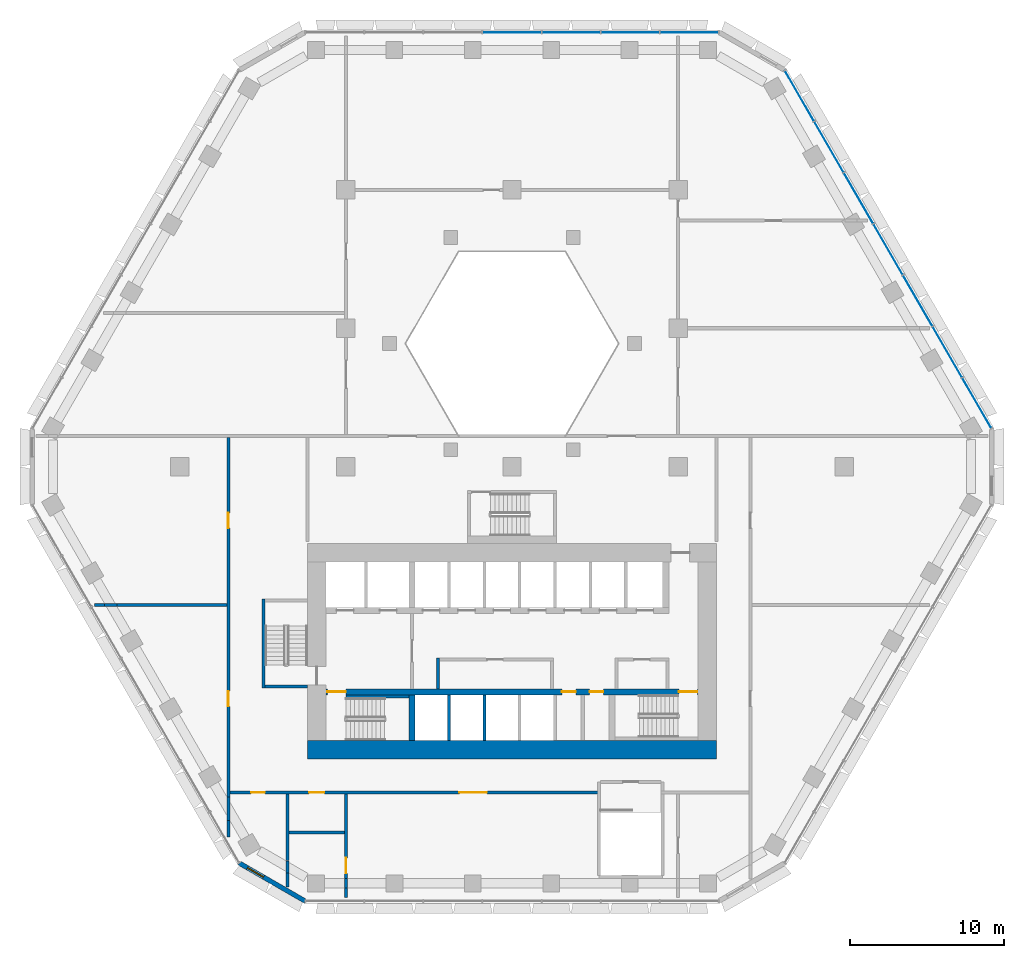
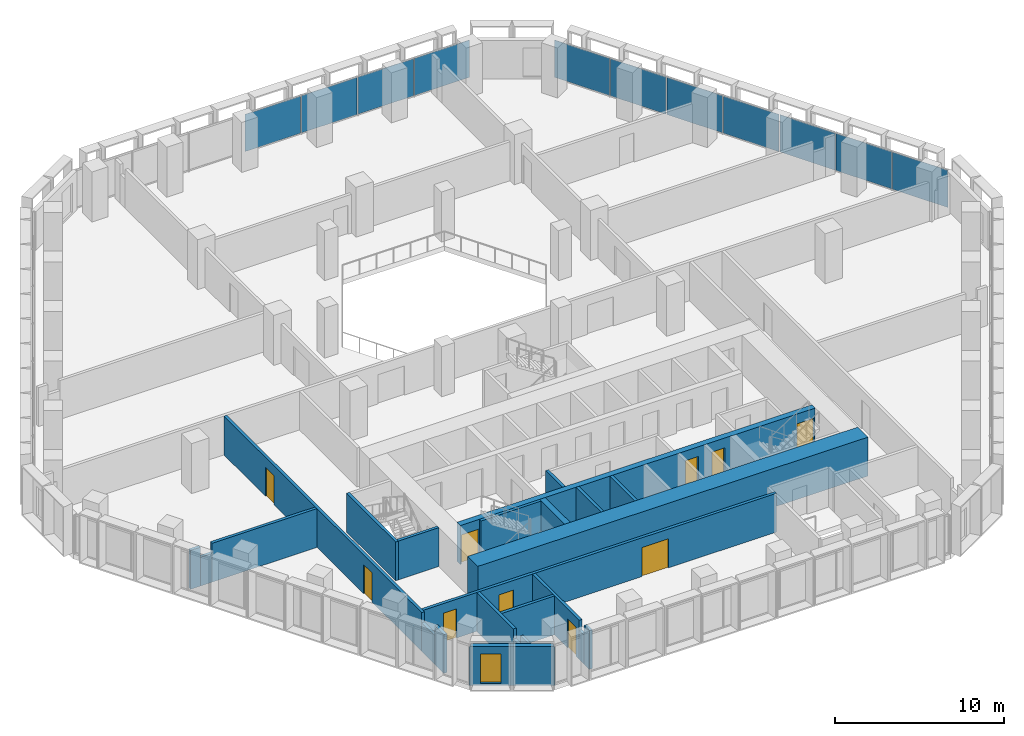
# One storey, part 11 of 21: 24 walls, 11 plates, 10 doors, 1 window, 11 openings, 2 elements without a shape of their own.
"""IFC4 building model written with IfcOpenShell, lengths in metres."""

from ifc_helpers import new_model, si_unit, direction, frame, frame_2d, origin, origin_2d, place, context, subcontext, project, spatial, polyline, rectangle, outline, extrude, material, layer, layer_set, type_object, element, fill, aggregate, save


model = new_model("IFC4")

# Units and contexts
model_context = context("Model", 3, precision=1e-05, world=origin(), true_north=direction((0.0, 1.0)))
body_context = subcontext(model_context, "Body", "Model", "MODEL_VIEW")
ifc_project = project(units=[si_unit("LENGTHUNIT", "METRE"), si_unit("AREAUNIT", "SQUARE_METRE"), si_unit("VOLUMEUNIT", "CUBIC_METRE"), si_unit("PLANEANGLEUNIT", "RADIAN"), si_unit("MASSUNIT", "GRAM", prefix="KILO")], contexts=[model_context])

# Site, building, storey
site_placement = place(None, origin())
site = spatial("IfcSite", under=ifc_project, at=site_placement, CompositionType="ELEMENT")
building_placement = place(site_placement, origin())
building = spatial("IfcBuilding", under=site, at=building_placement, Name="Beryl Residences", CompositionType="ELEMENT")
storey_placement = place(building_placement, frame((0.0, 0.0, 19.800048828125)))
storey = spatial("IfcBuildingStorey", under=building, at=storey_placement, Name="L05", CompositionType="ELEMENT", Elevation=19.800048828125)

# Curtain wall, plates
ifc_material_1 = material(Name="Aluminium and clear glass", Category="aluminium")
curtain_wall_type = type_object("IfcCurtainWallType", Name="CW2 amenity glazing glazed wall", PredefinedType="NOTDEFINED", material=ifc_material_1)
curtain_wall_1_placement = place(storey_placement, origin())
curtain_wall_1 = element("IfcCurtainWall", 1, at=curtain_wall_1_placement, inside=storey, type_object=curtain_wall_type, Name="CW2 L05 N", PredefinedType="NOTDEFINED")
ifc_material_2 = material(Name="Clear laminated glass", Category="glass")
ifc_layer_1 = layer(ifc_material_2, 0.028076171875)
ifc_layer_set_1 = layer_set([ifc_layer_1], Name="CW2-P glazing panel 28 mm")
plate_type = type_object("IfcPlateType", Name="CW2-P glazing panel 28 mm", PredefinedType="CURTAIN_PANEL", material=ifc_layer_set_1)
plate_1_placement = place(storey_placement, frame((11.53076171875, 28.25, 0.06005859375), z_axis=(0.0, 0.0, 1.0), x_axis=(-1.0, 0.0, 0.0)))
plate_1 = element("IfcPlate", 2, at=plate_1_placement, type_object=plate_type, Name="CW2 panel 1.1", PredefinedType="CURTAIN_PANEL", context=body_context, shape_type="SweptSolid", body=[
    extrude(rectangle(XDim=3.758544921875, YDim=0.028076171875, at=origin_2d()), origin(), (0.0, 0.0, 1.0), 2.679931640625),
])
plate_2_placement = place(storey_placement, frame((7.697021484375, 28.25, 0.06005859375), z_axis=(0.0, 0.0, 1.0), x_axis=(-1.0, 0.0, 0.0)))
plate_2 = element("IfcPlate", 3, at=plate_2_placement, type_object=plate_type, Name="CW2 panel 2.1", PredefinedType="CURTAIN_PANEL", context=body_context, shape_type="SweptSolid", body=[
    extrude(rectangle(XDim=3.78857421875, YDim=0.028076171875, at=origin_2d()), origin(), (0.0, 0.0, 1.0), 2.679931640625),
])
plate_3_placement = place(storey_placement, frame((3.8486328125, 28.25, 0.06005859375), z_axis=(0.0, 0.0, 1.0), x_axis=(-1.0, 0.0, 0.0)))
plate_3 = element("IfcPlate", 4, at=plate_3_placement, type_object=plate_type, Name="CW2 panel 3.1", PredefinedType="CURTAIN_PANEL", context=body_context, shape_type="SweptSolid", body=[
    extrude(rectangle(XDim=3.78857421875, YDim=0.028076171875, at=origin_2d()), origin(), (0.0, 0.0, 1.0), 2.679931640625),
])
plate_4_placement = place(storey_placement, frame((0.0, 28.25, 0.06005859375), z_axis=(0.0, 0.0, 1.0), x_axis=(-1.0, 0.0, 0.0)))
plate_4 = element("IfcPlate", 5, at=plate_4_placement, type_object=plate_type, Name="CW2 panel 4.1", PredefinedType="CURTAIN_PANEL", context=body_context, shape_type="SweptSolid", body=[
    extrude(rectangle(XDim=3.78857421875, YDim=0.028076171875, at=origin_2d()), origin(), (0.0, 0.0, 1.0), 2.679931640625),
])
aggregate(curtain_wall_1, [plate_1, plate_2, plate_3, plate_4])

curtain_wall_2_placement = place(storey_placement, origin())
curtain_wall_2 = element("IfcCurtainWall", 6, at=curtain_wall_2_placement, inside=storey, type_object=curtain_wall_type, Name="CW2 L05 NE", PredefinedType="NOTDEFINED")
plate_5_placement = place(storey_placement, frame((30.23046875, 4.139404296875, 0.06005859375), z_axis=(0.0, 0.0, 1.0), x_axis=(-0.500011643322, 0.866018681405, 0.0)))
plate_5 = element("IfcPlate", 7, at=plate_5_placement, type_object=plate_type, Name="CW2 panel 1.1", PredefinedType="CURTAIN_PANEL", context=body_context, shape_type="SweptSolid", body=[
    extrude(rectangle(XDim=3.758544921875, YDim=0.028076171875, at=origin_2d()), origin(), (0.0, 0.0, 1.0), 2.679931640625),
])
plate_6_placement = place(storey_placement, frame((28.3134765625, 7.459228515625, 0.06005859375), z_axis=(0.0, 0.0, 1.0), x_axis=(-0.500011643322, 0.866018681405, 0.0)))
plate_6 = element("IfcPlate", 8, at=plate_6_placement, type_object=plate_type, Name="CW2 panel 2.1", PredefinedType="CURTAIN_PANEL", context=body_context, shape_type="SweptSolid", body=[
    extrude(rectangle(XDim=3.78857421875, YDim=0.028076171875, at=origin_2d()), origin(), (0.0, 0.0, 1.0), 2.679931640625),
])
plate_7_placement = place(storey_placement, frame((26.389404296875, 10.792236328125, 0.06005859375), z_axis=(0.0, 0.0, 1.0), x_axis=(-0.500011643322, 0.866018681405, 0.0)))
plate_7 = element("IfcPlate", 9, at=plate_7_placement, type_object=plate_type, Name="CW2 panel 3.1", PredefinedType="CURTAIN_PANEL", context=body_context, shape_type="SweptSolid", body=[
    extrude(rectangle(XDim=3.78857421875, YDim=0.028076171875, at=origin_2d()), origin(), (0.0, 0.0, 1.0), 2.679931640625),
])
plate_8_placement = place(storey_placement, frame((24.465087890625, 14.125, 0.06005859375), z_axis=(0.0, 0.0, 1.0), x_axis=(-0.500011643322, 0.866018681405, 0.0)))
plate_8 = element("IfcPlate", 10, at=plate_8_placement, type_object=plate_type, Name="CW2 panel 4.1", PredefinedType="CURTAIN_PANEL", context=body_context, shape_type="SweptSolid", body=[
    extrude(rectangle(XDim=3.78857421875, YDim=0.028076171875, at=origin_2d()), origin(), (0.0, 0.0, 1.0), 2.679931640625),
])
plate_9_placement = place(storey_placement, frame((22.540771484375, 17.457763671875, 0.06005859375), z_axis=(0.0, 0.0, 1.0), x_axis=(-0.500011643322, 0.866018681405, 0.0)))
plate_9 = element("IfcPlate", 11, at=plate_9_placement, type_object=plate_type, Name="CW2 panel 5.1", PredefinedType="CURTAIN_PANEL", context=body_context, shape_type="SweptSolid", body=[
    extrude(rectangle(XDim=3.78857421875, YDim=0.028076171875, at=origin_2d()), origin(), (0.0, 0.0, 1.0), 2.679931640625),
])
plate_10_placement = place(storey_placement, frame((20.616455078125, 20.790771484375, 0.06005859375), z_axis=(0.0, 0.0, 1.0), x_axis=(-0.500011643322, 0.866018681405, 0.0)))
plate_10 = element("IfcPlate", 12, at=plate_10_placement, type_object=plate_type, Name="CW2 panel 6.1", PredefinedType="CURTAIN_PANEL", context=body_context, shape_type="SweptSolid", body=[
    extrude(rectangle(XDim=3.78857421875, YDim=0.028076171875, at=origin_2d()), origin(), (0.0, 0.0, 1.0), 2.679931640625),
])
plate_11_placement = place(storey_placement, frame((18.69970703125, 24.110595703125, 0.06005859375), z_axis=(0.0, 0.0, 1.0), x_axis=(-0.500011643322, 0.866018681405, 0.0)))
plate_11 = element("IfcPlate", 13, at=plate_11_placement, type_object=plate_type, Name="CW2 panel 7.1", PredefinedType="CURTAIN_PANEL", context=body_context, shape_type="SweptSolid", body=[
    extrude(rectangle(XDim=3.758544921875, YDim=0.028076171875, at=origin_2d()), origin(), (0.0, 0.0, 1.0), 2.679931640625),
])
aggregate(curtain_wall_2, [plate_5, plate_6, plate_7, plate_8, plate_9, plate_10, plate_11])

# Wall, opening, window
ifc_material_3 = material(Name="Composite metal panel with mineral wool insulation")
ifc_layer_2 = layer(ifc_material_3, 0.300048828125)
ifc_layer_set_2 = layer_set([ifc_layer_2], Name="ES1 pale metal composite panel wall 300 mm")
wall_type_1 = type_object("IfcWallType", Name="ES1 pale metal composite panel wall 300 mm", PredefinedType="SOLIDWALL", material=ifc_layer_set_2)
wall_1_placement = place(storey_placement, frame((-17.764892578125, -25.77001953125, 0.0), z_axis=(0.0, 0.0, 1.0), x_axis=(0.866010750942, -0.50002537861, 0.0)))
wall_1 = element("IfcWall", 14, at=wall_1_placement, inside=storey, type_object=wall_type_1, Name="ES1 external wall L05 SW-S", PredefinedType="SOLIDWALL", context=body_context, shape_type="SweptSolid", body=[
    extrude(outline(polyline([(0.0, -0.14990234375), (4.999755859375, -0.14990234375), (4.91943359375, 0.14990234375), (0.080322265625, 0.14990234375), (0.0, -0.14990234375)])), origin(), (0.0, 0.0, 1.0), 2.800048828125),
])
opening_1_placement = place(wall_1_placement, frame((0.64990234375, 0.0, 0.14990234375)))
opening_1 = element("IfcOpeningElement", 15, at=opening_1_placement, cuts=wall_1, Name="Opening W2", PredefinedType="OPENING", context=body_context, shape_type="SweptSolid", body=[
    extrude(rectangle(XDim=1.199951171875, YDim=2.10009765625, at=frame_2d((0.60009765625, 1.050048828125))), frame((0.0, 0.159912109375, 0.0), z_axis=(0.0, -1.0, 0.0), x_axis=(1.0, 0.0, 0.0)), (0.0, 0.0, 1.0), 0.320068359375),
])
ifc_material_4 = material(Name="Aluminium and clear glass", Category="aluminium")
window_type = type_object("IfcWindowType", Name="W2 chamfer window 1200 x 2100 mm", PartitioningType="SINGLE_PANEL", PredefinedType="WINDOW", material=ifc_material_4)
window_placement = place(opening_1_placement, origin())
window = element("IfcWindow", 16, at=window_placement, inside=storey, type_object=window_type, Name="W2 window L05 SW-S 1", OverallHeight=2.10009765625, OverallWidth=1.199951171875, PartitioningType="SINGLE_PANEL", PredefinedType="WINDOW", context=body_context, shape_type="SweptSolid", body=[
    extrude(rectangle(XDim=1.199951171875, YDim=2.10009765625, at=frame_2d((0.60009765625, 1.050048828125))), frame((0.0, 0.030029296875, 0.0), z_axis=(0.0, -1.0, 0.0), x_axis=(1.0, 0.0, 0.0)), (0.0, 0.0, 1.0), 0.06005859375),
])
fill(opening_1, window)

# Wall
ifc_material_5 = material(Name="Concrete masonry", Category="masonry")
ifc_layer_3 = layer(ifc_material_5, 0.199951171875)
ifc_layer_set_3 = layer_set([ifc_layer_3], Name="PT13 lobby wall 200 mm")
wall_type_2 = type_object("IfcWallType", Name="PT13 lobby wall 200 mm", PredefinedType="PARTITIONING", material=ifc_layer_set_3)
wall_2_placement = place(storey_placement, frame((-4.800048828125, -14.449951171875, 0.0), z_axis=(0.0, 0.0, 1.0), x_axis=(0.0, 1.0, 0.0)))
element("IfcWall", 17, at=wall_2_placement, inside=storey, type_object=wall_type_2, Name="Lobby wall 07", PredefinedType="PARTITIONING", context=body_context, shape_type="SweptSolid", body=[
    extrude(rectangle(XDim=2.0, YDim=0.199951171875, at=frame_2d((1.0, 0.0))), origin(), (0.0, 0.0, 1.0), 2.800048828125),
])

# Wall, openings, doors
ifc_material_6 = material(Name="Double stud gypsum board wall")
ifc_layer_4 = layer(ifc_material_6, 0.199951171875)
ifc_layer_set_4 = layer_set([ifc_layer_4], Name="PT4 corridor wall 200 mm double stud")
wall_type_3 = type_object("IfcWallType", Name="PT4 corridor wall 200 mm double stud", PredefinedType="PARTITIONING", material=ifc_layer_set_4)
wall_3_placement = place(storey_placement, frame((-18.35009765625, -21.199951171875, 0.0), z_axis=(0.0, 0.0, 1.0), x_axis=(1.0, 0.0, 0.0)))
wall_3 = element("IfcWall", 18, at=wall_3_placement, inside=storey, type_object=wall_type_3, Name="Wall PT4 L05 001", PredefinedType="PARTITIONING", context=body_context, shape_type="SweptSolid", body=[
    extrude(rectangle(XDim=24.10009765625, YDim=0.199951171875, at=frame_2d((12.050048828125, 0.0))), origin(), (0.0, 0.0, 1.0), 2.800048828125),
])
opening_2_placement = place(wall_3_placement, frame((2.27685546875, 0.0, 0.0), z_axis=(0.0, 0.0, 1.0), x_axis=(-1.0, 0.0, 0.0)))
opening_2 = element("IfcOpeningElement", 19, at=opening_2_placement, cuts=wall_3, Name="Opening L05-01", PredefinedType="OPENING", context=body_context, shape_type="SweptSolid", body=[
    extrude(rectangle(XDim=0.89990234375, YDim=2.10009765625, at=frame_2d((0.449951171875, 1.050048828125))), frame((0.0, 0.10986328125, 0.0), z_axis=(0.0, -1.0, 0.0), x_axis=(1.0, 0.0, 0.0)), (0.0, 0.0, 1.0), 0.219970703125),
])
opening_3_placement = place(wall_3_placement, frame((6.14990234375, 0.0, 0.0), z_axis=(0.0, 0.0, 1.0), x_axis=(-1.0, 0.0, 0.0)))
opening_3 = element("IfcOpeningElement", 20, at=opening_3_placement, cuts=wall_3, Name="Opening L05-02", PredefinedType="OPENING", context=body_context, shape_type="SweptSolid", body=[
    extrude(rectangle(XDim=1.0, YDim=2.10009765625, at=frame_2d((0.5, 1.050048828125))), frame((0.0, 0.10986328125, 0.0), z_axis=(0.0, -1.0, 0.0), x_axis=(1.0, 0.0, 0.0)), (0.0, 0.0, 1.0), 0.219970703125),
])
opening_4_placement = place(wall_3_placement, frame((14.923095703125, 0.0, 0.0)))
opening_4 = element("IfcOpeningElement", 21, at=opening_4_placement, cuts=wall_3, Name="Opening L05-17", PredefinedType="OPENING", context=body_context, shape_type="SweptSolid", body=[
    extrude(rectangle(XDim=1.800048828125, YDim=2.10009765625, at=frame_2d((0.89990234375, 1.050048828125))), frame((0.0, 0.10986328125, 0.0), z_axis=(0.0, -1.0, 0.0), x_axis=(1.0, 0.0, 0.0)), (0.0, 0.0, 1.0), 0.219970703125),
])
ifc_material_7 = material(Name="Timber door leaf", Category="wood")
door_type_1 = type_object("IfcDoorType", Name="D19 room door 1000 x 2100 mm", OperationType="SINGLE_SWING_LEFT", PredefinedType="DOOR", material=ifc_material_7)
door_1_placement = place(opening_3_placement, origin())
door_1 = element("IfcDoor", 22, at=door_1_placement, inside=storey, type_object=door_type_1, Name="Door L05-02 L05 001", OperationType="SINGLE_SWING_LEFT", OverallHeight=2.10009765625, OverallWidth=1.0, PredefinedType="DOOR", context=body_context, shape_type="SweptSolid", body=[
    extrude(rectangle(XDim=1.0, YDim=2.10009765625, at=frame_2d((0.5, 1.050048828125))), frame((0.0, 0.02490234375, 0.0), z_axis=(0.0, -1.0, 0.0), x_axis=(1.0, 0.0, 0.0)), (0.0, 0.0, 1.0), 0.050048828125),
])
fill(opening_3, door_1)
ifc_material_8 = material(Name="Timber door leaf", Category="wood")
door_type_2 = type_object("IfcDoorType", Name="D2 room door 900 x 2100 mm", OperationType="SINGLE_SWING_LEFT", PredefinedType="DOOR", material=ifc_material_8)
door_2_placement = place(opening_2_placement, origin())
door_2 = element("IfcDoor", 23, at=door_2_placement, inside=storey, type_object=door_type_2, Name="Door L05-01 L05 001", OperationType="SINGLE_SWING_RIGHT", OverallHeight=2.10009765625, OverallWidth=0.89990234375, PredefinedType="DOOR", context=body_context, shape_type="SweptSolid", body=[
    extrude(rectangle(XDim=0.89990234375, YDim=2.10009765625, at=frame_2d((0.449951171875, 1.050048828125))), frame((0.0, 0.02490234375, 0.0), z_axis=(0.0, -1.0, 0.0), x_axis=(1.0, 0.0, 0.0)), (0.0, 0.0, 1.0), 0.050048828125),
])
fill(opening_2, door_2)
ifc_material_9 = material(Name="Timber door leaf", Category="wood")
door_type_3 = type_object("IfcDoorType", Name="D20 corridor door 1800 x 2100 mm", OperationType="DOUBLE_DOOR_SINGLE_SWING", PredefinedType="DOOR", material=ifc_material_9)
door_3_placement = place(opening_4_placement, origin())
door_3 = element("IfcDoor", 24, at=door_3_placement, inside=storey, type_object=door_type_3, Name="Door L05-17 L05 001", OperationType="DOUBLE_DOOR_SINGLE_SWING", OverallHeight=2.10009765625, OverallWidth=1.800048828125, PredefinedType="DOOR", context=body_context, shape_type="SweptSolid", body=[
    extrude(rectangle(XDim=1.800048828125, YDim=2.10009765625, at=frame_2d((0.89990234375, 1.050048828125))), frame((0.0, 0.02490234375, 0.0), z_axis=(0.0, -1.0, 0.0), x_axis=(1.0, 0.0, 0.0)), (0.0, 0.0, 1.0), 0.050048828125),
])
fill(opening_4, door_3)

# Walls
wall_4_placement = place(storey_placement, frame((-27.157958984375, -9.0, 0.0), z_axis=(0.0, 0.0, 1.0), x_axis=(1.0, 0.0, 0.0)))
element("IfcWall", 25, at=wall_4_placement, inside=storey, type_object=wall_type_3, Name="Wall PT4 L05 002", PredefinedType="PARTITIONING", context=body_context, shape_type="SweptSolid", body=[
    extrude(rectangle(XDim=0.656982421875, YDim=0.199951171875, at=frame_2d((0.32861328125, 0.0))), origin(), (0.0, 0.0, 1.0), 2.800048828125),
])
wall_5_placement = place(storey_placement, frame((-26.5009765625, -9.0, 0.0), z_axis=(0.0, 0.0, 1.0), x_axis=(1.0, 0.0, 0.0)))
element("IfcWall", 26, at=wall_5_placement, inside=storey, type_object=wall_type_3, Name="Wall PT4 L05 003", PredefinedType="PARTITIONING", context=body_context, shape_type="SweptSolid", body=[
    extrude(rectangle(XDim=0.80908203125, YDim=0.199951171875, at=frame_2d((0.404541015625, 0.0))), origin(), (0.0, 0.0, 1.0), 2.070068359375),
])
wall_6_placement = place(storey_placement, frame((-25.69189453125, -9.0, 0.0), z_axis=(0.0, 0.0, 1.0), x_axis=(1.0, 0.0, 0.0)))
element("IfcWall", 27, at=wall_6_placement, inside=storey, type_object=wall_type_3, Name="Wall PT4 L05 004", PredefinedType="PARTITIONING", context=body_context, shape_type="SweptSolid", body=[
    extrude(rectangle(XDim=7.141845703125, YDim=0.199951171875, at=frame_2d((3.57080078125, 0.0))), origin(), (0.0, 0.0, 1.0), 2.800048828125),
])
wall_7_placement = place(storey_placement, frame((-18.449951171875, -24.08203125, 0.0), z_axis=(0.0, 0.0, 1.0), x_axis=(0.0, 1.0, 0.0)))
element("IfcWall", 28, at=wall_7_placement, inside=storey, type_object=wall_type_3, Name="Wall PT4 L05 023", PredefinedType="PARTITIONING", context=body_context, shape_type="SweptSolid", body=[
    extrude(rectangle(XDim=1.06494140625, YDim=0.199951171875, at=frame_2d((0.532470703125, 0.0))), origin(), (0.0, 0.0, 1.0), 2.800048828125),
])
wall_8_placement = place(storey_placement, frame((-18.449951171875, -23.01708984375, 0.0), z_axis=(0.0, 0.0, 1.0), x_axis=(0.0, 1.0, 0.0)))
element("IfcWall", 29, at=wall_8_placement, inside=storey, type_object=wall_type_3, Name="Wall PT4 L05 024", PredefinedType="PARTITIONING", context=body_context, shape_type="SweptSolid", body=[
    extrude(rectangle(XDim=1.546142578125, YDim=0.199951171875, at=frame_2d((0.77294921875, 0.0))), origin(), (0.0, 0.0, 1.0), 2.070068359375),
])

# Wall, openings, doors
wall_9_placement = place(storey_placement, frame((-18.449951171875, -21.470947265625, 0.0), z_axis=(0.0, 0.0, 1.0), x_axis=(0.0, 1.0, 0.0)))
wall_9 = element("IfcWall", 30, at=wall_9_placement, inside=storey, type_object=wall_type_3, Name="Wall PT4 L05 025", PredefinedType="PARTITIONING", context=body_context, shape_type="SweptSolid", body=[
    extrude(rectangle(XDim=23.370849609375, YDim=0.199951171875, at=frame_2d((11.685546875, 0.0))), origin(), (0.0, 0.0, 1.0), 2.800048828125),
])
opening_5_placement = place(wall_9_placement, frame((5.873046875, 0.0, 0.0)))
opening_5 = element("IfcOpeningElement", 31, at=opening_5_placement, cuts=wall_9, Name="Opening L05-05", PredefinedType="OPENING", context=body_context, shape_type="SweptSolid", body=[
    extrude(rectangle(XDim=1.0, YDim=2.10009765625, at=frame_2d((0.5, 1.050048828125))), frame((0.0, 0.10986328125, 0.0), z_axis=(0.0, -1.0, 0.0), x_axis=(1.0, 0.0, 0.0)), (0.0, 0.0, 1.0), 0.219970703125),
])
opening_6_placement = place(wall_9_placement, frame((17.468994140625, 0.0, 0.0)))
opening_6 = element("IfcOpeningElement", 32, at=opening_6_placement, cuts=wall_9, Name="Opening L05-06", PredefinedType="OPENING", context=body_context, shape_type="SweptSolid", body=[
    extrude(rectangle(XDim=1.0, YDim=2.10009765625, at=frame_2d((0.5, 1.050048828125))), frame((0.0, 0.10986328125, 0.0), z_axis=(0.0, -1.0, 0.0), x_axis=(1.0, 0.0, 0.0)), (0.0, 0.0, 1.0), 0.219970703125),
])
ifc_material_10 = material(Name="Timber door leaf", Category="wood")
door_type_4 = type_object("IfcDoorType", Name="D9 corridor door 1000 x 2100 mm", OperationType="SINGLE_SWING_LEFT", PredefinedType="DOOR", material=ifc_material_10)
door_4_placement = place(opening_5_placement, origin())
door_4 = element("IfcDoor", 33, at=door_4_placement, inside=storey, type_object=door_type_4, Name="Door L05-05 L05 001", OperationType="SINGLE_SWING_LEFT", OverallHeight=2.10009765625, OverallWidth=1.0, PredefinedType="DOOR", context=body_context, shape_type="SweptSolid", body=[
    extrude(rectangle(XDim=1.0, YDim=2.10009765625, at=frame_2d((0.5, 1.050048828125))), frame((0.0, 0.02490234375, 0.0), z_axis=(0.0, -1.0, 0.0), x_axis=(1.0, 0.0, 0.0)), (0.0, 0.0, 1.0), 0.050048828125),
])
fill(opening_5, door_4)
door_5_placement = place(opening_6_placement, origin())
door_5 = element("IfcDoor", 34, at=door_5_placement, inside=storey, type_object=door_type_4, Name="Door L05-06 L05 001", OperationType="SINGLE_SWING_RIGHT", OverallHeight=2.10009765625, OverallWidth=1.0, PredefinedType="DOOR", context=body_context, shape_type="SweptSolid", body=[
    extrude(rectangle(XDim=1.0, YDim=2.10009765625, at=frame_2d((0.5, 1.050048828125))), frame((0.0, 0.02490234375, 0.0), z_axis=(0.0, -1.0, 0.0), x_axis=(1.0, 0.0, 0.0)), (0.0, 0.0, 1.0), 0.050048828125),
])
fill(opening_6, door_5)

# Walls
ifc_material_11 = material(Name="Concrete C40/50", Category="concrete")
ifc_layer_5 = layer(ifc_material_11, 0.199951171875)
ifc_layer_set_5 = layer_set([ifc_layer_5], Name="PT5 stair enclosure wall 200 mm reinforced concrete C40/50")
wall_type_4 = type_object("IfcWallType", Name="PT5 stair enclosure wall 200 mm reinforced concrete C40/50", PredefinedType="SOLIDWALL", material=ifc_layer_set_5)
wall_10_placement = place(storey_placement, frame((-16.14990234375, -14.39990234375, 0.0), z_axis=(0.0, 0.0, 1.0), x_axis=(0.0, 1.0, 0.0)))
element("IfcWall", 35, at=wall_10_placement, inside=storey, type_object=wall_type_4, Name="Stair wall 01", PredefinedType="SOLIDWALL", context=body_context, shape_type="SweptSolid", body=[
    extrude(rectangle(XDim=5.7998046875, YDim=0.199951171875, at=frame_2d((2.89990234375, 0.0))), origin(), (0.0, 0.0, 1.0), 2.800048828125),
])
wall_11_placement = place(storey_placement, frame((-16.050048828125, -14.300048828125, 0.0), z_axis=(0.0, 0.0, 1.0), x_axis=(1.0, 0.0, 0.0)))
element("IfcWall", 36, at=wall_11_placement, inside=storey, type_object=wall_type_4, Name="Stair wall 02", PredefinedType="SOLIDWALL", context=body_context, shape_type="SweptSolid", body=[
    extrude(rectangle(XDim=2.75, YDim=0.199951171875, at=frame_2d((1.375, 0.0))), origin(), (0.0, 0.0, 1.0), 2.800048828125),
])
wall_12_placement = place(storey_placement, frame((-10.800048828125, -14.949951171875, 0.0), z_axis=(0.0, 0.0, 1.0), x_axis=(1.0, 0.0, 0.0)))
element("IfcWall", 37, at=wall_12_placement, inside=storey, type_object=wall_type_4, Name="Stair wall 04", PredefinedType="SOLIDWALL", context=body_context, shape_type="SweptSolid", body=[
    extrude(rectangle(XDim=4.10009765625, YDim=0.199951171875, at=frame_2d((2.050048828125, 0.0))), origin(), (0.0, 0.0, 1.0), 2.800048828125),
])
ifc_material_12 = material(Name="Concrete C40/50", Category="concrete")
ifc_layer_6 = layer(ifc_material_12, 0.199951171875)
ifc_layer_set_6 = layer_set([ifc_layer_6], Name="PT6 lift shaft wall 200 mm reinforced concrete C40/50")
wall_type_5 = type_object("IfcWallType", Name="PT6 lift shaft wall 200 mm reinforced concrete C40/50", PredefinedType="SOLIDWALL", material=ifc_layer_set_6)
for number, where, z_axis, x_axis, name in (
    (38, (-4.10009765625, -17.800048828125, 0.0), (0.0, 0.0, 1.0), (0.0, 1.0, 0.0), "Lift shaft wall 09"),
    (39, (-1.800048828125, -17.800048828125, 0.0), (0.0, 0.0, 1.0), (0.0, 1.0, 0.0), "Lift shaft wall 11"),
):
    element("IfcWall", number, at=place(storey_placement, frame(where, z_axis=z_axis, x_axis=x_axis)), inside=storey, type_object=wall_type_5, Name=name, PredefinedType="SOLIDWALL", context=body_context, shape_type="SweptSolid", body=[
        extrude(rectangle(XDim=2.949951171875, YDim=0.199951171875, at=frame_2d((1.47509765625, 0.0))), origin(), (0.0, 0.0, 1.0), 2.800048828125),
    ])
ifc_material_13 = material(Name="Concrete masonry", Category="masonry")
ifc_layer_7 = layer(ifc_material_13, 0.199951171875)
ifc_layer_set_7 = layer_set([ifc_layer_7], Name="PT8-200 service room wall 200 mm")
wall_type_6 = type_object("IfcWallType", Name="PT8-200 service room wall 200 mm", PredefinedType="PARTITIONING", material=ifc_layer_set_7)
wall_13_placement = place(storey_placement, frame((-14.5, -23.800048828125, 0.0), z_axis=(0.0, 0.0, 1.0), x_axis=(1.0, 0.0, 0.0)))
element("IfcWall", 40, at=wall_13_placement, inside=storey, type_object=wall_type_6, Name="Wall PT8-200 L05 001", PredefinedType="PARTITIONING", context=body_context, shape_type="SweptSolid", body=[
    extrude(rectangle(XDim=3.60009765625, YDim=0.199951171875, at=frame_2d((1.800048828125, 0.0))), origin(), (0.0, 0.0, 1.0), 2.800048828125),
])
wall_14_placement = place(storey_placement, frame((-14.60009765625, -27.33203125, 0.0), z_axis=(0.0, 0.0, 1.0), x_axis=(0.0, 1.0, 0.0)))
element("IfcWall", 41, at=wall_14_placement, inside=storey, type_object=wall_type_6, Name="Wall PT8-200 L05 003", PredefinedType="PARTITIONING", context=body_context, shape_type="SweptSolid", body=[
    extrude(rectangle(XDim=0.89013671875, YDim=0.199951171875, at=frame_2d((0.445068359375, 0.0))), origin(), (0.0, 0.0, 1.0), 2.800048828125),
])
wall_15_placement = place(storey_placement, frame((-14.60009765625, -26.44189453125, 0.0), z_axis=(0.0, 0.0, 1.0), x_axis=(0.0, 1.0, 0.0)))
element("IfcWall", 42, at=wall_15_placement, inside=storey, type_object=wall_type_6, Name="Wall PT8-200 L05 004", PredefinedType="PARTITIONING", context=body_context, shape_type="SweptSolid", body=[
    extrude(rectangle(XDim=0.808837890625, YDim=0.199951171875, at=frame_2d((0.404296875, 0.0))), origin(), (0.0, 0.0, 1.0), 2.070068359375),
])
wall_16_placement = place(storey_placement, frame((-14.60009765625, -25.633056640625, 0.0), z_axis=(0.0, 0.0, 1.0), x_axis=(0.0, 1.0, 0.0)))
element("IfcWall", 43, at=wall_16_placement, inside=storey, type_object=wall_type_6, Name="Wall PT8-200 L05 005", PredefinedType="PARTITIONING", context=body_context, shape_type="SweptSolid", body=[
    extrude(rectangle(XDim=4.3330078125, YDim=0.199951171875, at=frame_2d((2.16650390625, 0.0))), origin(), (0.0, 0.0, 1.0), 2.800048828125),
])
wall_17_placement = place(storey_placement, frame((-10.800048828125, -28.02001953125, 0.0), z_axis=(0.0, 0.0, 1.0), x_axis=(0.0, 1.0, 0.0)))
element("IfcWall", 44, at=wall_17_placement, inside=storey, type_object=wall_type_6, Name="Wall PT8-200 L05 006", PredefinedType="PARTITIONING", context=body_context, shape_type="SweptSolid", body=[
    extrude(rectangle(XDim=0.6201171875, YDim=0.199951171875, at=frame_2d((0.31005859375, 0.0))), origin(), (0.0, 0.0, 1.0), 2.800048828125),
])
wall_18_placement = place(storey_placement, frame((-10.800048828125, -27.39990234375, 0.0), z_axis=(0.0, 0.0, 1.0), x_axis=(0.0, 1.0, 0.0)))
element("IfcWall", 45, at=wall_18_placement, inside=storey, type_object=wall_type_6, Name="Wall PT8-200 L05 007", PredefinedType="PARTITIONING", context=body_context, shape_type="SweptSolid", body=[
    extrude(rectangle(XDim=0.599853515625, YDim=0.199951171875, at=frame_2d((0.2998046875, 0.0))), origin(), (0.0, 0.0, 1.0), 2.070068359375),
])

# Wall, opening, door
wall_19_placement = place(storey_placement, frame((-10.800048828125, -26.800048828125, 0.0), z_axis=(0.0, 0.0, 1.0), x_axis=(0.0, 1.0, 0.0)))
wall_19 = element("IfcWall", 46, at=wall_19_placement, inside=storey, type_object=wall_type_6, Name="Wall PT8-200 L05 008", PredefinedType="PARTITIONING", context=body_context, shape_type="SweptSolid", body=[
    extrude(rectangle(XDim=5.5, YDim=0.199951171875, at=frame_2d((2.75, 0.0))), origin(), (0.0, 0.0, 1.0), 2.800048828125),
])
opening_7_placement = place(wall_19_placement, frame((0.35205078125, 0.0, 0.0)))
opening_7 = element("IfcOpeningElement", 47, at=opening_7_placement, cuts=wall_19, Name="Opening L05-03", PredefinedType="OPENING", context=body_context, shape_type="SweptSolid", body=[
    extrude(rectangle(XDim=1.0, YDim=2.10009765625, at=frame_2d((0.5, 1.050048828125))), frame((0.0, 0.10986328125, 0.0), z_axis=(0.0, -1.0, 0.0), x_axis=(1.0, 0.0, 0.0)), (0.0, 0.0, 1.0), 0.219970703125),
])
door_6_placement = place(opening_7_placement, origin())
door_6 = element("IfcDoor", 48, at=door_6_placement, inside=storey, type_object=door_type_4, Name="Door L05-03 L05 001", OperationType="SINGLE_SWING_LEFT", OverallHeight=2.10009765625, OverallWidth=1.0, PredefinedType="DOOR", context=body_context, shape_type="SweptSolid", body=[
    extrude(rectangle(XDim=1.0, YDim=2.10009765625, at=frame_2d((0.5, 1.050048828125))), frame((0.0, 0.02490234375, 0.0), z_axis=(0.0, -1.0, 0.0), x_axis=(1.0, 0.0, 0.0)), (0.0, 0.0, 1.0), 0.050048828125),
])
fill(opening_7, door_6)

# Wall
ifc_material_14 = material(Name="Concrete C80/95", Category="concrete")
ifc_layer_8 = layer(ifc_material_14, 1.199951171875)
ifc_layer_set_8 = layer_set([ifc_layer_8], Name="SW1 core outer wall 1200 mm C80/95")
wall_type_7 = type_object("IfcWallType", Name="SW1 core outer wall 1200 mm C80/95", PredefinedType="SHEAR", material=ifc_layer_set_8)
wall_20_placement = place(storey_placement, frame((-13.300048828125, -18.39990234375, 0.0), z_axis=(0.0, 0.0, 1.0), x_axis=(1.0, 0.0, 0.0)))
element("IfcWall", 49, at=wall_20_placement, inside=storey, type_object=wall_type_7, Name="Core wall S L05", PredefinedType="SHEAR", context=body_context, shape_type="SweptSolid", body=[
    extrude(rectangle(XDim=26.60009765625, YDim=1.199951171875, at=frame_2d((13.300048828125, 0.0))), origin(), (0.0, 0.0, 1.0), 2.800048828125),
])

# Wall, openings, doors
ifc_material_15 = material(Name="Concrete C80/95", Category="concrete")
ifc_layer_9 = layer(ifc_material_15, 0.39990234375)
ifc_layer_set_9 = layer_set([ifc_layer_9], Name="SW6 core internal wall 400 mm C80/95")
wall_type_8 = type_object("IfcWallType", Name="SW6 core internal wall 400 mm C80/95", PredefinedType="SHEAR", material=ifc_layer_set_9)
wall_21_placement = place(storey_placement, frame((-12.10009765625, -14.64990234375, 0.0), z_axis=(0.0, 0.0, 1.0), x_axis=(1.0, 0.0, 0.0)))
wall_21 = element("IfcWall", 50, at=wall_21_placement, inside=storey, type_object=wall_type_8, Name="Core wall SP1 L05", PredefinedType="SHEAR", context=body_context, shape_type="SweptSolid", body=[
    extrude(rectangle(XDim=24.2001953125, YDim=0.39990234375, at=frame_2d((12.10009765625, 0.0))), origin(), (0.0, 0.0, 1.0), 2.800048828125),
])
opening_8_placement = place(wall_21_placement, frame((1.300048828125, 0.0, 0.0), z_axis=(0.0, 0.0, 1.0), x_axis=(-1.0, 0.0, 0.0)))
opening_8 = element("IfcOpeningElement", 51, at=opening_8_placement, cuts=wall_21, Name="Opening SD-1", PredefinedType="OPENING", context=body_context, shape_type="SweptSolid", body=[
    extrude(rectangle(XDim=1.199951171875, YDim=2.10009765625, at=frame_2d((0.60009765625, 1.050048828125))), frame((0.0, 0.2099609375, 0.0), z_axis=(0.0, -1.0, 0.0), x_axis=(1.0, 0.0, 0.0)), (0.0, 0.0, 1.0), 0.419921875),
])
opening_9_placement = place(wall_21_placement, frame((24.14990234375, 0.0, 0.0), z_axis=(0.0, 0.0, 1.0), x_axis=(-1.0, 0.0, 0.0)))
opening_9 = element("IfcOpeningElement", 52, at=opening_9_placement, cuts=wall_21, Name="Opening SD-3", PredefinedType="OPENING", context=body_context, shape_type="SweptSolid", body=[
    extrude(rectangle(XDim=1.199951171875, YDim=2.10009765625, at=frame_2d((0.60009765625, 1.050048828125))), frame((0.0, 0.2099609375, 0.0), z_axis=(0.0, -1.0, 0.0), x_axis=(1.0, 0.0, 0.0)), (0.0, 0.0, 1.0), 0.419921875),
])
opening_10_placement = place(wall_21_placement, frame((16.25, 0.0, 0.0), z_axis=(0.0, 0.0, 1.0), x_axis=(-1.0, 0.0, 0.0)))
opening_10 = element("IfcOpeningElement", 53, at=opening_10_placement, cuts=wall_21, Name="Opening CD-D-S1-900", PredefinedType="OPENING", context=body_context, shape_type="SweptSolid", body=[
    extrude(rectangle(XDim=0.89990234375, YDim=2.10009765625, at=frame_2d((0.449951171875, 1.050048828125))), frame((0.0, 0.2099609375, 0.0), z_axis=(0.0, -1.0, 0.0), x_axis=(1.0, 0.0, 0.0)), (0.0, 0.0, 1.0), 0.419921875),
])
opening_11_placement = place(wall_21_placement, frame((18.0498046875, 0.0, 0.0), z_axis=(0.0, 0.0, 1.0), x_axis=(-1.0, 0.0, 0.0)))
opening_11 = element("IfcOpeningElement", 54, at=opening_11_placement, cuts=wall_21, Name="Opening CD-D-S2-900", PredefinedType="OPENING", context=body_context, shape_type="SweptSolid", body=[
    extrude(rectangle(XDim=0.89990234375, YDim=2.10009765625, at=frame_2d((0.449951171875, 1.050048828125))), frame((0.0, 0.2099609375, 0.0), z_axis=(0.0, -1.0, 0.0), x_axis=(1.0, 0.0, 0.0)), (0.0, 0.0, 1.0), 0.419921875),
])
ifc_material_16 = material(Name="Steel door leaf in steel frame", Category="steel")
door_type_5 = type_object("IfcDoorType", Name="D4 stair door 1200 x 2100 mm", OperationType="SINGLE_SWING_LEFT", PredefinedType="DOOR", material=ifc_material_16)
door_7_placement = place(opening_8_placement, origin())
door_7 = element("IfcDoor", 55, at=door_7_placement, inside=storey, type_object=door_type_5, Name="Door SD-1 L05 001", OperationType="SINGLE_SWING_RIGHT", OverallHeight=2.10009765625, OverallWidth=1.199951171875, PredefinedType="DOOR", context=body_context, shape_type="SweptSolid", body=[
    extrude(rectangle(XDim=1.199951171875, YDim=2.10009765625, at=frame_2d((0.60009765625, 1.050048828125))), frame((0.0, 0.02490234375, 0.0), z_axis=(0.0, -1.0, 0.0), x_axis=(1.0, 0.0, 0.0)), (0.0, 0.0, 1.0), 0.050048828125),
])
fill(opening_8, door_7)
door_8_placement = place(opening_9_placement, origin())
door_8 = element("IfcDoor", 56, at=door_8_placement, inside=storey, type_object=door_type_5, Name="Door SD-3 L05 001", OperationType="SINGLE_SWING_RIGHT", OverallHeight=2.10009765625, OverallWidth=1.199951171875, PredefinedType="DOOR", context=body_context, shape_type="SweptSolid", body=[
    extrude(rectangle(XDim=1.199951171875, YDim=2.10009765625, at=frame_2d((0.60009765625, 1.050048828125))), frame((0.0, 0.02490234375, 0.0), z_axis=(0.0, -1.0, 0.0), x_axis=(1.0, 0.0, 0.0)), (0.0, 0.0, 1.0), 0.050048828125),
])
fill(opening_9, door_8)
ifc_material_17 = material(Name="Steel door leaf in steel frame", Category="steel")
door_type_6 = type_object("IfcDoorType", Name="D6 service room door 900 x 2100 mm", OperationType="SINGLE_SWING_LEFT", PredefinedType="DOOR", material=ifc_material_17)
door_9_placement = place(opening_10_placement, origin())
door_9 = element("IfcDoor", 57, at=door_9_placement, inside=storey, type_object=door_type_6, Name="Door CD-D-S1-900 L05 001", OperationType="SINGLE_SWING_RIGHT", OverallHeight=2.10009765625, OverallWidth=0.89990234375, PredefinedType="DOOR", context=body_context, shape_type="SweptSolid", body=[
    extrude(rectangle(XDim=0.89990234375, YDim=2.10009765625, at=frame_2d((0.449951171875, 1.050048828125))), frame((0.0, 0.02490234375, 0.0), z_axis=(0.0, -1.0, 0.0), x_axis=(1.0, 0.0, 0.0)), (0.0, 0.0, 1.0), 0.050048828125),
])
fill(opening_10, door_9)
door_10_placement = place(opening_11_placement, origin())
door_10 = element("IfcDoor", 58, at=door_10_placement, inside=storey, type_object=door_type_6, Name="Door CD-D-S2-900 L05 001", OperationType="SINGLE_SWING_LEFT", OverallHeight=2.10009765625, OverallWidth=0.89990234375, PredefinedType="DOOR", context=body_context, shape_type="SweptSolid", body=[
    extrude(rectangle(XDim=0.89990234375, YDim=2.10009765625, at=frame_2d((0.449951171875, 1.050048828125))), frame((0.0, 0.02490234375, 0.0), z_axis=(0.0, -1.0, 0.0), x_axis=(1.0, 0.0, 0.0)), (0.0, 0.0, 1.0), 0.050048828125),
])
fill(opening_11, door_10)

# Wall
wall_22_placement = place(storey_placement, frame((-6.5, -17.800048828125, 0.0), z_axis=(0.0, 0.0, 1.0), x_axis=(0.0, 1.0, 0.0)))
element("IfcWall", 59, at=wall_22_placement, inside=storey, type_object=wall_type_8, Name="Core wall XS1 L05", PredefinedType="SHEAR", context=body_context, shape_type="SweptSolid", body=[
    extrude(rectangle(XDim=2.949951171875, YDim=0.39990234375, at=frame_2d((1.47509765625, 0.0))), origin(), (0.0, 0.0, 1.0), 2.800048828125),
])

save(model, "model.ifc")
